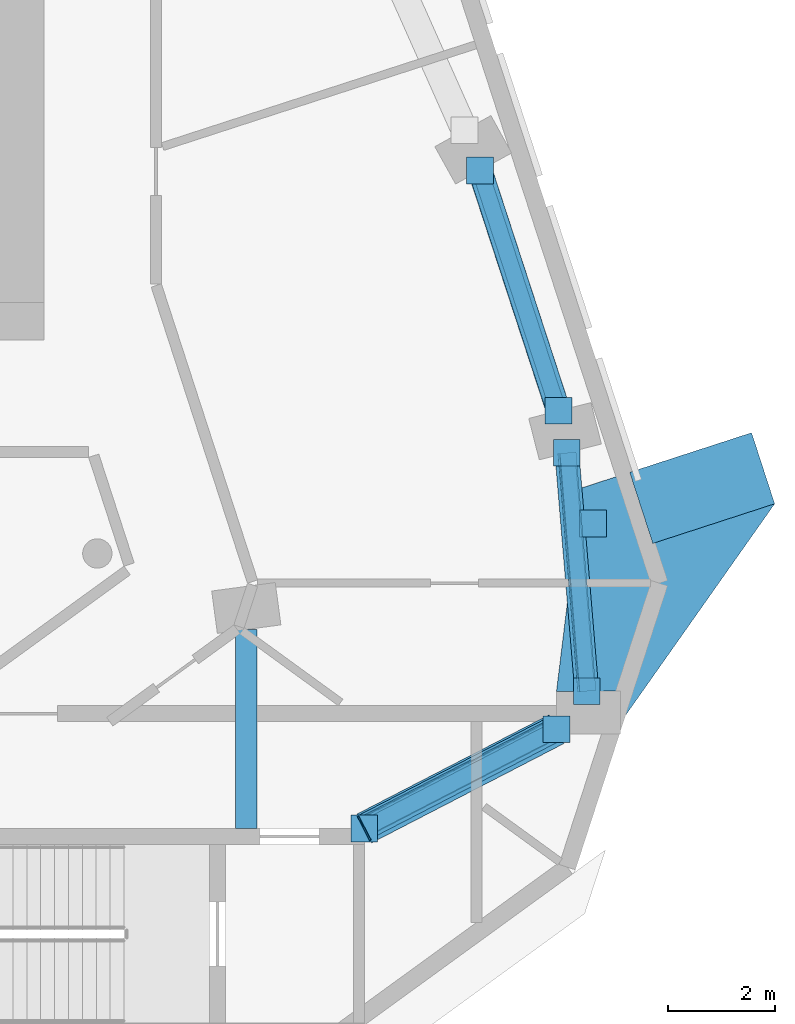
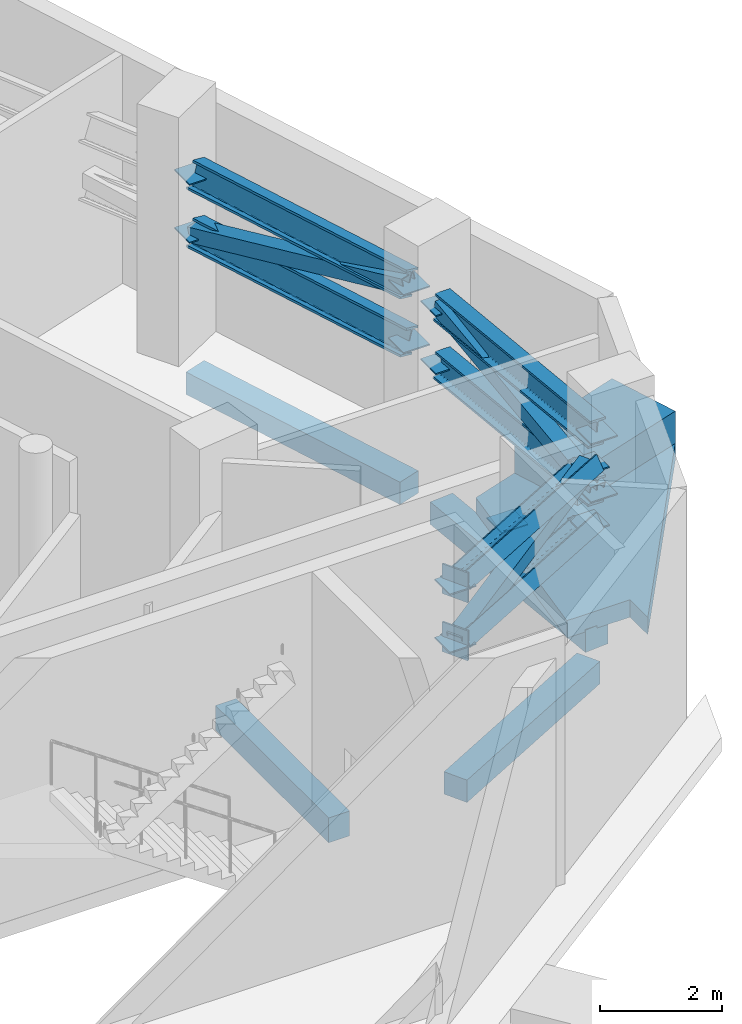
# One storey, part 4 of 15: 15 discrete accessories, 11 members, 4 beams.
"""IFC4 building model written with IfcOpenShell, lengths in metres."""

from ifc_helpers import new_model, si_unit, direction, frame, origin, origin_2d, place, context, subcontext, project, spatial, polyline, rectangle, hollow_rectangle, i_section, outline, extrude, material, layer, layer_set, material_profile, profile_set, type_object, element, aggregate, save


model = new_model("IFC4")

# Units and contexts
model_context = context("Model", 3, precision=1e-05, world=origin(), true_north=direction((0.0, 1.0)))
body_context = subcontext(model_context, "Body", "Model", "MODEL_VIEW")
ifc_project = project(units=[si_unit("LENGTHUNIT", "METRE"), si_unit("AREAUNIT", "SQUARE_METRE"), si_unit("VOLUMEUNIT", "CUBIC_METRE"), si_unit("PLANEANGLEUNIT", "RADIAN"), si_unit("MASSUNIT", "GRAM", prefix="KILO")], contexts=[model_context])

# Site, building, storey
site_placement = place(None, origin())
site = spatial("IfcSite", under=ifc_project, at=site_placement, CompositionType="ELEMENT")
building_placement = place(site_placement, origin())
building = spatial("IfcBuilding", under=site, at=building_placement, Name="White Candle Pilgrim Tower", CompositionType="ELEMENT")
storey_placement = place(building_placement, frame((0.0, 0.0, 295.10009765625)))
storey = spatial("IfcBuildingStorey", under=building, at=storey_placement, Name="L70", CompositionType="ELEMENT", Elevation=295.10009765625)

# Member
ifc_material_1 = material(Name="Steel S355", Category="steel")
ifc_material_profile_1 = material_profile(ifc_material_1, i_section(OverallWidth=0.305908203125, OverallDepth=0.52392578125, WebThickness=0.02099609375, FlangeThickness=0.0400390625, FilletRadius=0.027099609375, at=origin_2d()), Name="HEM 500")
ifc_profile_set_1 = profile_set([ifc_material_profile_1], Name="Steel S355")
member_type_1 = type_object("IfcMemberType", Name="Belt truss chord HEM 500 S355", PredefinedType="CHORD", material=ifc_profile_set_1)
member_1_placement = place(storey_placement, frame((90.600341796875, 63.710205078125, 2.411865234375), z_axis=(-0.888432867753, -0.459006578925, 0.0), x_axis=(0.210688306555, -0.407798983694, -0.888431441575)))
member_1 = element("IfcMember", 1, at=member_1_placement, inside=storey, type_object=member_type_1, Name="L70 belt truss bottom chord 06", PredefinedType="CHORD", context=body_context, shape_type="SweptSolid", body=[
    extrude(i_section(OverallWidth=0.305908203125, OverallDepth=0.52392578125, WebThickness=0.02099609375, FlangeThickness=0.0400390625, FilletRadius=0.027099609375, at=origin_2d()), origin(), (0.0, 0.0, 1.0), 4.052490234375),
])

member_2_placement = place(storey_placement, frame((90.600341796875, 63.710205078125, 3.577880859375), z_axis=(-0.888432867753, -0.459006578925, 0.0), x_axis=(0.210688306555, -0.407798983694, -0.888431441575)))
member_2 = element("IfcMember", 2, at=member_2_placement, inside=storey, type_object=member_type_1, Name="L70 belt truss top chord 06", PredefinedType="CHORD", context=body_context, shape_type="SweptSolid", body=[
    extrude(i_section(OverallWidth=0.305908203125, OverallDepth=0.52392578125, WebThickness=0.02099609375, FlangeThickness=0.0400390625, FilletRadius=0.027099609375, at=origin_2d()), origin(), (0.0, 0.0, 1.0), 4.052490234375),
])

member_3_placement = place(storey_placement, frame((91.16650390625, 64.419921875, 2.411865234375), z_axis=(-0.083189754962, 0.996533724803, 0.0), x_axis=(0.993077640067, 0.082901244062, -0.083211685072)))
member_3 = element("IfcMember", 3, at=member_3_placement, inside=storey, type_object=member_type_1, Name="L70 belt truss bottom chord 07", PredefinedType="CHORD", context=body_context, shape_type="SweptSolid", body=[
    extrude(i_section(OverallWidth=0.305908203125, OverallDepth=0.52392578125, WebThickness=0.02099609375, FlangeThickness=0.0400390625, FilletRadius=0.027099609375, at=origin_2d()), origin(), (0.0, 0.0, 1.0), 4.4814453125),
])

member_4_placement = place(storey_placement, frame((91.16650390625, 64.419921875, 3.577880859375), z_axis=(-0.083189754962, 0.996533724803, 0.0), x_axis=(0.993077640067, 0.082901244062, -0.083211685072)))
member_4 = element("IfcMember", 4, at=member_4_placement, inside=storey, type_object=member_type_1, Name="L70 belt truss top chord 07", PredefinedType="CHORD", context=body_context, shape_type="SweptSolid", body=[
    extrude(i_section(OverallWidth=0.305908203125, OverallDepth=0.52392578125, WebThickness=0.02099609375, FlangeThickness=0.0400390625, FilletRadius=0.027099609375, at=origin_2d()), origin(), (0.0, 0.0, 1.0), 4.4814453125),
])

member_5_placement = place(storey_placement, frame((90.635498046875, 69.671142578125, 2.411865234375), z_axis=(-0.310235376741, 0.950659776691, 0.0), x_axis=(0.903744433149, 0.294925168362, -0.310266247954)))
member_5 = element("IfcMember", 5, at=member_5_placement, inside=storey, type_object=member_type_1, Name="L70 belt truss bottom chord 08", PredefinedType="CHORD", context=body_context, shape_type="SweptSolid", body=[
    extrude(i_section(OverallWidth=0.305908203125, OverallDepth=0.52392578125, WebThickness=0.02099609375, FlangeThickness=0.0400390625, FilletRadius=0.027099609375, at=origin_2d()), origin(), (0.0, 0.0, 1.0), 4.735107421875),
])

member_6_placement = place(storey_placement, frame((90.635498046875, 69.671142578125, 3.577880859375), z_axis=(-0.310235376741, 0.950659776691, 0.0), x_axis=(0.903744433149, 0.294925168362, -0.310266247954)))
member_6 = element("IfcMember", 6, at=member_6_placement, inside=storey, type_object=member_type_1, Name="L70 belt truss top chord 08", PredefinedType="CHORD", context=body_context, shape_type="SweptSolid", body=[
    extrude(i_section(OverallWidth=0.305908203125, OverallDepth=0.52392578125, WebThickness=0.02099609375, FlangeThickness=0.0400390625, FilletRadius=0.027099609375, at=origin_2d()), origin(), (0.0, 0.0, 1.0), 4.735107421875),
])

# Members
ifc_material_profile_2 = material_profile(ifc_material_1, hollow_rectangle(XDim=0.300048828125, YDim=0.300048828125, WallThickness=0.01611328125, at=origin_2d()), Name="SHS 300x300x16")
ifc_profile_set_2 = profile_set([ifc_material_profile_2], Name="Steel S355")
member_type_2 = type_object("IfcMemberType", Name="Belt truss diagonal SHS 300x300x16 S355", PredefinedType="BRACE", material=ifc_profile_set_2)
member_7_placement = place(storey_placement, frame((90.600341796875, 63.710205078125, 3.577880859375), z_axis=(-0.853793375302, -0.441110173352, -0.276511640363), x_axis=(0.459006578925, -0.888432867753, 0.0)))
element("IfcMember", 7, at=member_7_placement, inside=storey, type_object=member_type_2, Name="L70 belt truss diagonal 06", PredefinedType="BRACE", context=body_context, shape_type="SweptSolid", body=[
    extrude(hollow_rectangle(XDim=0.300048828125, YDim=0.300048828125, WallThickness=0.01611328125, at=origin_2d()), origin(), (0.0, 0.0, 1.0), 4.216796875),
])
member_8_placement = place(storey_placement, frame((91.16650390625, 64.419921875, 2.411865234375), z_axis=(-0.080509137401, 0.964422489417, 0.251808539769), x_axis=(-0.996533724803, -0.083189754962, 0.0)))
element("IfcMember", 8, at=member_8_placement, inside=storey, type_object=member_type_2, Name="L70 belt truss diagonal 07", PredefinedType="BRACE", context=body_context, shape_type="SweptSolid", body=[
    extrude(hollow_rectangle(XDim=0.300048828125, YDim=0.300048828125, WallThickness=0.01611328125, at=origin_2d()), origin(), (0.0, 0.0, 1.0), 4.630615234375),
])
member_9_placement = place(storey_placement, frame((90.635498046875, 69.671142578125, 3.577880859375), z_axis=(-0.301236467323, 0.923084258685, -0.239106758839), x_axis=(-0.950659776691, -0.310235376741, 0.0)))
element("IfcMember", 9, at=member_9_placement, inside=storey, type_object=member_type_2, Name="L70 belt truss diagonal 08", PredefinedType="BRACE", context=body_context, shape_type="SweptSolid", body=[
    extrude(hollow_rectangle(XDim=0.300048828125, YDim=0.300048828125, WallThickness=0.01611328125, at=origin_2d()), origin(), (0.0, 0.0, 1.0), 4.87646484375),
])

# Member
ifc_material_2 = material(Name="Concrete C70/85, white", Category="concrete")
ifc_layer_1 = layer(ifc_material_2, 0.300048828125)
ifc_layer_set_1 = layer_set([ifc_layer_1], Name="Node tie strut 3350x1400x300 C70/85")
member_type_3 = type_object("IfcMemberType", Name="Node tie strut 3350x1400x300 C70/85", PredefinedType="STRUT", material=ifc_layer_set_1)
member_10_placement = place(storey_placement, frame((0.0, 0.0, -0.35009765625)))
member_10 = element("IfcMember", 10, at=member_10_placement, inside=storey, type_object=member_type_3, Name="Node tie strut NC239", PredefinedType="STRUT", context=body_context, shape_type="SweptSolid", body=[
    extrude(outline(polyline([(91.80029296875, 63.83740234375), (94.68505859375, 67.930419921875), (94.25244140625, 69.26171875), (91.06640625, 68.2265625), (90.599609375, 64.41943359375), (91.7998046875, 64.42041015625), (91.80029296875, 63.83740234375)])), origin(), (0.0, 0.0, 1.0), 0.35009765625),
])

member_11_placement = place(storey_placement, origin())
element("IfcMember", 11, at=member_11_placement, inside=storey, type_object=member_type_3, Name="Node tie strut NC239", PredefinedType="STRUT", context=body_context, shape_type="SweptSolid", body=[
    extrude(outline(polyline([(92.402587890625, 67.188720703125), (94.68505859375, 67.930419921875), (94.25244140625, 69.26171875), (91.9697265625, 68.520263671875), (92.402587890625, 67.188720703125)])), origin(), (0.0, 0.0, 1.0), 0.64990234375),
])

# Beams
ifc_material_3 = material(Name="Concrete C50/60", Category="concrete")
ifc_material_profile_3 = material_profile(ifc_material_3, rectangle(XDim=0.39990234375, YDim=0.5, at=origin_2d()), Name="RC-BM 400x500")
ifc_profile_set_3 = profile_set([ifc_material_profile_3], Name="Concrete C50/60")
beam_type_1 = type_object("IfcBeamType", Name="Ring beam RC-BM 400x500 C50/60", PredefinedType="BEAM", material=ifc_profile_set_3)
beam_1_placement = place(storey_placement, frame((84.7900390625, 65.576416015625, -0.550048828125), z_axis=(0.0, -1.0, 0.0), x_axis=(1.0, 0.0, 0.0)))
element("IfcBeam", 12, at=beam_1_placement, inside=storey, type_object=beam_type_1, Name="L70 ring beam R03", PredefinedType="BEAM", context=body_context, shape_type="SweptSolid", body=[
    extrude(rectangle(XDim=0.39990234375, YDim=0.5, at=origin_2d()), origin(), (0.0, 0.0, 1.0), 3.726318359375),
])
ifc_material_profile_4 = material_profile(ifc_material_3, rectangle(XDim=0.449951171875, YDim=0.449951171875, at=origin_2d()), Name="RC-BM 450x450")
ifc_profile_set_4 = profile_set([ifc_material_profile_4], Name="Concrete C50/60")
beam_type_2 = type_object("IfcBeamType", Name="Spandrel beam RC-BM 450x450 C50/60", PredefinedType="BEAM", material=ifc_profile_set_4)
beam_2_placement = place(storey_placement, frame((90.600341796875, 63.710205078125, -0.525146484375), z_axis=(-0.888432867753, -0.459006578925, 0.0), x_axis=(0.459006578925, -0.888432867753, 0.0)))
element("IfcBeam", 13, at=beam_2_placement, inside=storey, type_object=beam_type_2, Name="L70 spandrel beam T06", PredefinedType="BEAM", context=body_context, shape_type="SweptSolid", body=[
    extrude(rectangle(XDim=0.449951171875, YDim=0.449951171875, at=origin_2d()), origin(), (0.0, 0.0, 1.0), 4.052490234375),
])
beam_3_placement = place(storey_placement, frame((91.16650390625, 64.419921875, -0.525146484375), z_axis=(-0.083189754962, 0.996533724803, 0.0), x_axis=(-0.996533724803, -0.083189754962, 0.0)))
element("IfcBeam", 14, at=beam_3_placement, inside=storey, type_object=beam_type_2, Name="L70 spandrel beam T07", PredefinedType="BEAM", context=body_context, shape_type="SweptSolid", body=[
    extrude(rectangle(XDim=0.449951171875, YDim=0.449951171875, at=origin_2d()), origin(), (0.0, 0.0, 1.0), 4.4814453125),
])
beam_4_placement = place(storey_placement, frame((90.635498046875, 69.671142578125, -0.525146484375), z_axis=(-0.310235376741, 0.950659776691, 0.0), x_axis=(-0.950659776691, -0.310235376741, 0.0)))
element("IfcBeam", 15, at=beam_4_placement, inside=storey, type_object=beam_type_2, Name="L70 spandrel beam T08", PredefinedType="BEAM", context=body_context, shape_type="SweptSolid", body=[
    extrude(rectangle(XDim=0.449951171875, YDim=0.449951171875, at=origin_2d()), origin(), (0.0, 0.0, 1.0), 4.735107421875),
])

# Discrete accessory
ifc_layer_2 = layer(ifc_material_1, 0.030029296875)
ifc_layer_set_2 = layer_set([ifc_layer_2], Name="Cast-in plate 500x600x30 S355")
discrete_accessory_type_1 = type_object("IfcDiscreteAccessoryType", Name="Cast-in plate 500x600x30 S355", PredefinedType="ANCHORPLATE", material=ifc_layer_set_2)
discrete_accessory_1_placement = place(storey_placement, frame((87.0, 61.85009765625, 2.11181640625), z_axis=(0.0, 0.0, 1.0), x_axis=(0.888433047332, 0.45900623134, 0.0)))
discrete_accessory_1 = element("IfcDiscreteAccessory", 16, at=discrete_accessory_1_placement, type_object=discrete_accessory_type_1, Name="Cast-in plate 0035", PredefinedType="ANCHORPLATE", context=body_context, shape_type="SweptSolid", body=[
    extrude(rectangle(XDim=0.030029296875, YDim=0.5, at=origin_2d()), origin(), (0.0, 0.0, 1.0), 0.60009765625),
])

discrete_accessory_2_placement = place(storey_placement, frame((87.0, 61.85009765625, 3.27783203125), z_axis=(0.0, 0.0, 1.0), x_axis=(0.888433047332, 0.45900623134, 0.0)))
discrete_accessory_2 = element("IfcDiscreteAccessory", 17, at=discrete_accessory_2_placement, type_object=discrete_accessory_type_1, Name="Cast-in plate 0036", PredefinedType="ANCHORPLATE", context=body_context, shape_type="SweptSolid", body=[
    extrude(rectangle(XDim=0.030029296875, YDim=0.5, at=origin_2d()), origin(), (0.0, 0.0, 1.0), 0.60009765625),
])

ifc_layer_3 = layer(ifc_material_1, 0.02490234375)
ifc_layer_set_3 = layer_set([ifc_layer_3], Name="Gusset plate 500x500x25 S355")
discrete_accessory_type_2 = type_object("IfcDiscreteAccessoryType", Name="Gusset plate 500x500x25 S355", PredefinedType="BRACKET", material=ifc_layer_set_3)
discrete_accessory_3_placement = place(storey_placement, frame((91.28271484375, 67.560791015625, -0.16259765625), z_axis=(0.0, 0.0, 1.0), x_axis=(1.0, 0.0, 0.0)))
discrete_accessory_3 = element("IfcDiscreteAccessory", 18, at=discrete_accessory_3_placement, type_object=discrete_accessory_type_2, Name="Gusset plate 0620", PredefinedType="BRACKET", context=body_context, shape_type="SweptSolid", body=[
    extrude(rectangle(XDim=0.5, YDim=0.5, at=origin_2d()), origin(), (0.0, 0.0, 1.0), 0.02490234375),
])

aggregate(member_10, [discrete_accessory_3])

discrete_accessory_4_placement = place(storey_placement, frame((90.600341796875, 63.710205078125, 2.3994140625), z_axis=(0.0, 0.0, 1.0), x_axis=(1.0, 0.0, 0.0)))
discrete_accessory_4 = element("IfcDiscreteAccessory", 19, at=discrete_accessory_4_placement, type_object=discrete_accessory_type_2, Name="Gusset plate 0918", PredefinedType="BRACKET", context=body_context, shape_type="SweptSolid", body=[
    extrude(rectangle(XDim=0.5, YDim=0.5, at=origin_2d()), origin(), (0.0, 0.0, 1.0), 0.02490234375),
])

discrete_accessory_5_placement = place(storey_placement, frame((87.0, 61.85009765625, 2.3994140625), z_axis=(0.0, 0.0, 1.0), x_axis=(1.0, 0.0, 0.0)))
discrete_accessory_5 = element("IfcDiscreteAccessory", 20, at=discrete_accessory_5_placement, type_object=discrete_accessory_type_2, Name="Gusset plate 0919", PredefinedType="BRACKET", context=body_context, shape_type="SweptSolid", body=[
    extrude(rectangle(XDim=0.5, YDim=0.5, at=origin_2d()), origin(), (0.0, 0.0, 1.0), 0.02490234375),
])

aggregate(member_1, [discrete_accessory_4, discrete_accessory_5, discrete_accessory_1])

discrete_accessory_6_placement = place(storey_placement, frame((90.600341796875, 63.710205078125, 3.5654296875), z_axis=(0.0, 0.0, 1.0), x_axis=(1.0, 0.0, 0.0)))
discrete_accessory_6 = element("IfcDiscreteAccessory", 21, at=discrete_accessory_6_placement, type_object=discrete_accessory_type_2, Name="Gusset plate 0920", PredefinedType="BRACKET", context=body_context, shape_type="SweptSolid", body=[
    extrude(rectangle(XDim=0.5, YDim=0.5, at=origin_2d()), origin(), (0.0, 0.0, 1.0), 0.02490234375),
])

discrete_accessory_7_placement = place(storey_placement, frame((87.0, 61.85009765625, 3.5654296875), z_axis=(0.0, 0.0, 1.0), x_axis=(1.0, 0.0, 0.0)))
discrete_accessory_7 = element("IfcDiscreteAccessory", 22, at=discrete_accessory_7_placement, type_object=discrete_accessory_type_2, Name="Gusset plate 0921", PredefinedType="BRACKET", context=body_context, shape_type="SweptSolid", body=[
    extrude(rectangle(XDim=0.5, YDim=0.5, at=origin_2d()), origin(), (0.0, 0.0, 1.0), 0.02490234375),
])

aggregate(member_2, [discrete_accessory_6, discrete_accessory_7, discrete_accessory_2])

discrete_accessory_8_placement = place(storey_placement, frame((91.16650390625, 64.419921875, 2.3994140625), z_axis=(0.0, 0.0, 1.0), x_axis=(1.0, 0.0, 0.0)))
discrete_accessory_8 = element("IfcDiscreteAccessory", 23, at=discrete_accessory_8_placement, type_object=discrete_accessory_type_2, Name="Gusset plate 0922", PredefinedType="BRACKET", context=body_context, shape_type="SweptSolid", body=[
    extrude(rectangle(XDim=0.5, YDim=0.5, at=origin_2d()), origin(), (0.0, 0.0, 1.0), 0.02490234375),
])

discrete_accessory_9_placement = place(storey_placement, frame((90.793701171875, 68.8857421875, 2.3994140625), z_axis=(0.0, 0.0, 1.0), x_axis=(1.0, 0.0, 0.0)))
discrete_accessory_9 = element("IfcDiscreteAccessory", 24, at=discrete_accessory_9_placement, type_object=discrete_accessory_type_2, Name="Gusset plate 0923", PredefinedType="BRACKET", context=body_context, shape_type="SweptSolid", body=[
    extrude(rectangle(XDim=0.5, YDim=0.5, at=origin_2d()), origin(), (0.0, 0.0, 1.0), 0.02490234375),
])

aggregate(member_3, [discrete_accessory_8, discrete_accessory_9])

discrete_accessory_10_placement = place(storey_placement, frame((91.16650390625, 64.419921875, 3.5654296875), z_axis=(0.0, 0.0, 1.0), x_axis=(1.0, 0.0, 0.0)))
discrete_accessory_10 = element("IfcDiscreteAccessory", 25, at=discrete_accessory_10_placement, type_object=discrete_accessory_type_2, Name="Gusset plate 0924", PredefinedType="BRACKET", context=body_context, shape_type="SweptSolid", body=[
    extrude(rectangle(XDim=0.5, YDim=0.5, at=origin_2d()), origin(), (0.0, 0.0, 1.0), 0.02490234375),
])

discrete_accessory_11_placement = place(storey_placement, frame((90.793701171875, 68.8857421875, 3.5654296875), z_axis=(0.0, 0.0, 1.0), x_axis=(1.0, 0.0, 0.0)))
discrete_accessory_11 = element("IfcDiscreteAccessory", 26, at=discrete_accessory_11_placement, type_object=discrete_accessory_type_2, Name="Gusset plate 0925", PredefinedType="BRACKET", context=body_context, shape_type="SweptSolid", body=[
    extrude(rectangle(XDim=0.5, YDim=0.5, at=origin_2d()), origin(), (0.0, 0.0, 1.0), 0.02490234375),
])

aggregate(member_4, [discrete_accessory_10, discrete_accessory_11])

discrete_accessory_12_placement = place(storey_placement, frame((90.635498046875, 69.671142578125, 2.3994140625), z_axis=(0.0, 0.0, 1.0), x_axis=(1.0, 0.0, 0.0)))
discrete_accessory_12 = element("IfcDiscreteAccessory", 27, at=discrete_accessory_12_placement, type_object=discrete_accessory_type_2, Name="Gusset plate 0926", PredefinedType="BRACKET", context=body_context, shape_type="SweptSolid", body=[
    extrude(rectangle(XDim=0.5, YDim=0.5, at=origin_2d()), origin(), (0.0, 0.0, 1.0), 0.02490234375),
])

discrete_accessory_13_placement = place(storey_placement, frame((89.16650390625, 74.172607421875, 2.3994140625), z_axis=(0.0, 0.0, 1.0), x_axis=(1.0, 0.0, 0.0)))
discrete_accessory_13 = element("IfcDiscreteAccessory", 28, at=discrete_accessory_13_placement, type_object=discrete_accessory_type_2, Name="Gusset plate 0927", PredefinedType="BRACKET", context=body_context, shape_type="SweptSolid", body=[
    extrude(rectangle(XDim=0.5, YDim=0.5, at=origin_2d()), origin(), (0.0, 0.0, 1.0), 0.02490234375),
])

aggregate(member_5, [discrete_accessory_12, discrete_accessory_13])

discrete_accessory_14_placement = place(storey_placement, frame((90.635498046875, 69.671142578125, 3.5654296875), z_axis=(0.0, 0.0, 1.0), x_axis=(1.0, 0.0, 0.0)))
discrete_accessory_14 = element("IfcDiscreteAccessory", 29, at=discrete_accessory_14_placement, type_object=discrete_accessory_type_2, Name="Gusset plate 0928", PredefinedType="BRACKET", context=body_context, shape_type="SweptSolid", body=[
    extrude(rectangle(XDim=0.5, YDim=0.5, at=origin_2d()), origin(), (0.0, 0.0, 1.0), 0.02490234375),
])

discrete_accessory_15_placement = place(storey_placement, frame((89.16650390625, 74.172607421875, 3.5654296875), z_axis=(0.0, 0.0, 1.0), x_axis=(1.0, 0.0, 0.0)))
discrete_accessory_15 = element("IfcDiscreteAccessory", 30, at=discrete_accessory_15_placement, type_object=discrete_accessory_type_2, Name="Gusset plate 0929", PredefinedType="BRACKET", context=body_context, shape_type="SweptSolid", body=[
    extrude(rectangle(XDim=0.5, YDim=0.5, at=origin_2d()), origin(), (0.0, 0.0, 1.0), 0.02490234375),
])

aggregate(member_6, [discrete_accessory_14, discrete_accessory_15])

save(model, "model.ifc")
